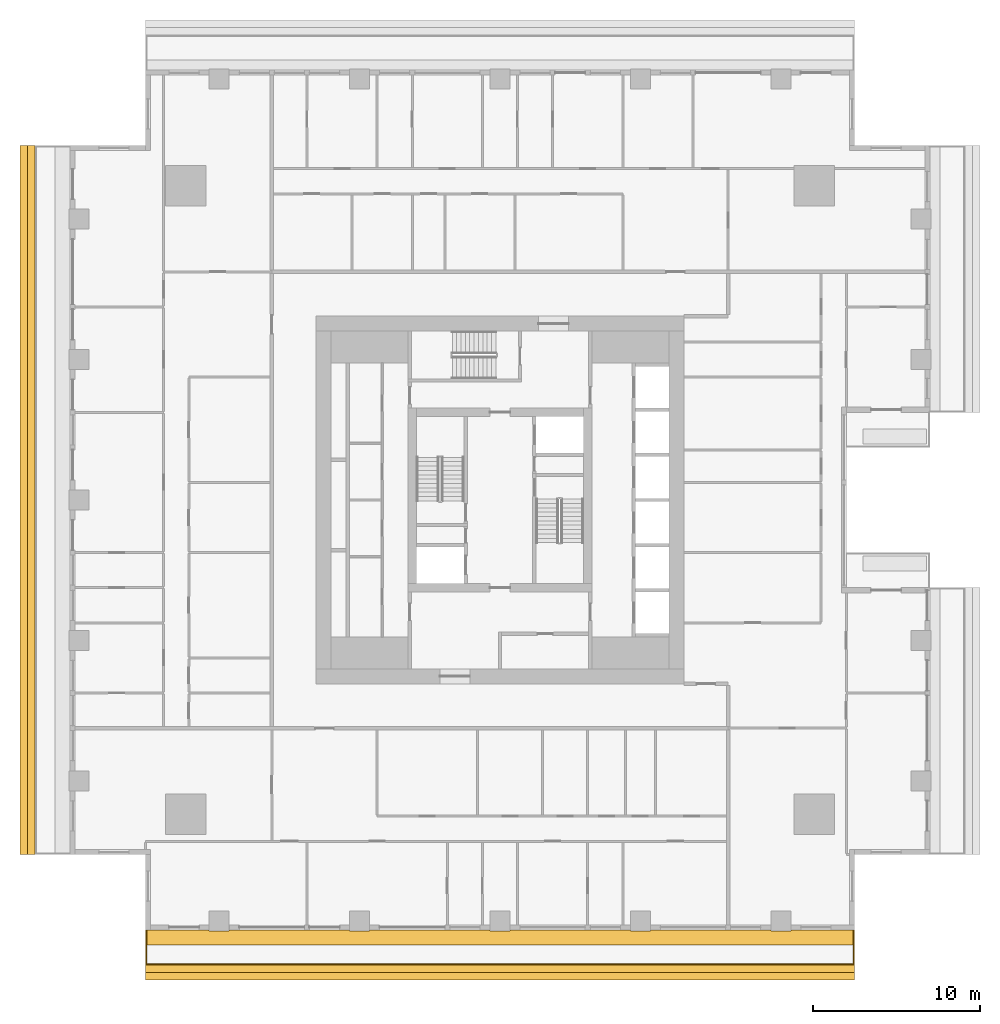
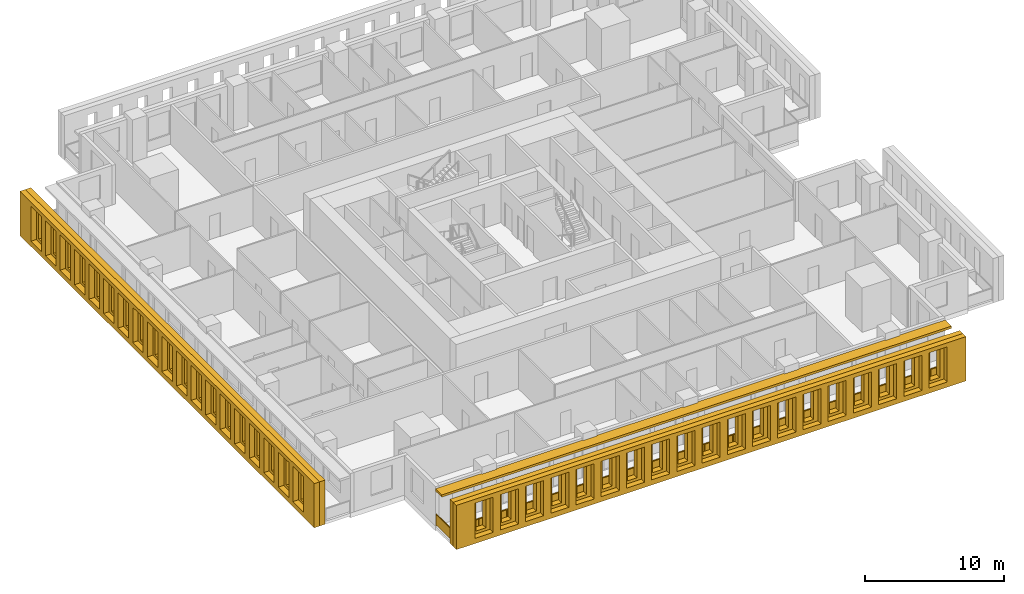
# One storey, part 10 of 15: 5 shading devices, 1 railing.
"""IFC4 building model written with IfcOpenShell, lengths in metres."""

from ifc_helpers import new_model, si_unit, direction, frame, origin, origin_2d, place, context, subcontext, project, spatial, polyline, rectangle, outline, extrude, material, layer, layer_set, type_object, element, save


model = new_model("IFC4")

# Units and contexts
model_context = context("Model", 3, precision=1e-05, world=origin(), true_north=direction((0.0, 1.0)))
body_context = subcontext(model_context, "Body", "Model", "MODEL_VIEW")
ifc_project = project(units=[si_unit("LENGTHUNIT", "METRE"), si_unit("AREAUNIT", "SQUARE_METRE"), si_unit("VOLUMEUNIT", "CUBIC_METRE"), si_unit("PLANEANGLEUNIT", "RADIAN"), si_unit("MASSUNIT", "GRAM", prefix="KILO")], contexts=[model_context])

# Site, building, storey
site_placement = place(None, origin())
site = spatial("IfcSite", under=ifc_project, at=site_placement, CompositionType="ELEMENT")
building_placement = place(site_placement, origin())
building = spatial("IfcBuilding", under=site, at=building_placement, Name="Khepri Terraces", CompositionType="ELEMENT")
storey_placement = place(building_placement, frame((0.0, 0.0, 196.199951171875)))
storey = spatial("IfcBuildingStorey", under=building, at=storey_placement, Name="L46", CompositionType="ELEMENT", Elevation=196.199951171875)

# Railing
ifc_material_1 = material(Name="Stainless steel grade 316", Category="steel")
railing_type = type_object("IfcRailingType", Name="GRD-BAL-1100", PredefinedType="GUARDRAIL", material=ifc_material_1)
railing_placement = place(storey_placement, frame((-21.169921875, -25.719970703125, 0.0)))
element("IfcRailing", 1, at=railing_placement, inside=storey, type_object=railing_type, Name="Balcony guard L46 S", PredefinedType="GUARDRAIL", context=body_context, shape_type="SweptSolid", body=[
    extrude(rectangle(XDim=0.050048828125, YDim=0.06005859375, at=origin_2d()), frame((0.0, 0.0, 1.070068359375), z_axis=(0.0, -1.0, 0.0), x_axis=(1.0, 0.0, 0.0)), (0.0, 0.0, 1.0), 2.050048828125),
    extrude(rectangle(XDim=2.0, YDim=0.011962890625, at=origin_2d()), frame((0.0, -1.02490234375, 0.10009765625), z_axis=(0.0, 0.0, 1.0), x_axis=(0.0, -1.0, 0.0)), (0.0, 0.0, 1.0), 0.93994140625),
    extrude(rectangle(XDim=0.050048828125, YDim=0.06005859375, at=origin_2d()), frame((0.0, -2.050048828125, 1.070068359375), z_axis=(1.0, 0.0, 0.0), x_axis=(0.0, 1.0, 0.0)), (0.0, 0.0, 1.0), 42.33984375),
    extrude(rectangle(XDim=2.30224609375, YDim=0.011962890625, at=origin_2d()), frame((1.176025390625, -2.050048828125, 0.10009765625), z_axis=(0.0, 0.0, 1.0), x_axis=(1.0, 0.0, 0.0)), (0.0, 0.0, 1.0), 0.93994140625),
    extrude(rectangle(XDim=2.30224609375, YDim=0.011962890625, at=origin_2d()), frame((3.5283203125, -2.050048828125, 0.10009765625), z_axis=(0.0, 0.0, 1.0), x_axis=(1.0, 0.0, 0.0)), (0.0, 0.0, 1.0), 0.93994140625),
    extrude(rectangle(XDim=2.30224609375, YDim=0.011962890625, at=origin_2d()), frame((5.880615234375, -2.050048828125, 0.10009765625), z_axis=(0.0, 0.0, 1.0), x_axis=(1.0, 0.0, 0.0)), (0.0, 0.0, 1.0), 0.93994140625),
    extrude(rectangle(XDim=2.30224609375, YDim=0.011962890625, at=origin_2d()), frame((8.232666015625, -2.050048828125, 0.10009765625), z_axis=(0.0, 0.0, 1.0), x_axis=(1.0, 0.0, 0.0)), (0.0, 0.0, 1.0), 0.93994140625),
    extrude(rectangle(XDim=2.30224609375, YDim=0.011962890625, at=origin_2d()), frame((10.5849609375, -2.050048828125, 0.10009765625), z_axis=(0.0, 0.0, 1.0), x_axis=(1.0, 0.0, 0.0)), (0.0, 0.0, 1.0), 0.93994140625),
    extrude(rectangle(XDim=2.30224609375, YDim=0.011962890625, at=origin_2d()), frame((12.937255859375, -2.050048828125, 0.10009765625), z_axis=(0.0, 0.0, 1.0), x_axis=(1.0, 0.0, 0.0)), (0.0, 0.0, 1.0), 0.93994140625),
    extrude(rectangle(XDim=2.30224609375, YDim=0.011962890625, at=origin_2d()), frame((15.289306640625, -2.050048828125, 0.10009765625), z_axis=(0.0, 0.0, 1.0), x_axis=(1.0, 0.0, 0.0)), (0.0, 0.0, 1.0), 0.93994140625),
    extrude(rectangle(XDim=2.30224609375, YDim=0.011962890625, at=origin_2d()), frame((17.6416015625, -2.050048828125, 0.10009765625), z_axis=(0.0, 0.0, 1.0), x_axis=(1.0, 0.0, 0.0)), (0.0, 0.0, 1.0), 0.93994140625),
    extrude(rectangle(XDim=2.30224609375, YDim=0.011962890625, at=origin_2d()), frame((19.993896484375, -2.050048828125, 0.10009765625), z_axis=(0.0, 0.0, 1.0), x_axis=(1.0, 0.0, 0.0)), (0.0, 0.0, 1.0), 0.93994140625),
    extrude(rectangle(XDim=2.30224609375, YDim=0.011962890625, at=origin_2d()), frame((22.345947265625, -2.050048828125, 0.10009765625), z_axis=(0.0, 0.0, 1.0), x_axis=(1.0, 0.0, 0.0)), (0.0, 0.0, 1.0), 0.93994140625),
    extrude(rectangle(XDim=2.30224609375, YDim=0.011962890625, at=origin_2d()), frame((24.6982421875, -2.050048828125, 0.10009765625), z_axis=(0.0, 0.0, 1.0), x_axis=(1.0, 0.0, 0.0)), (0.0, 0.0, 1.0), 0.93994140625),
    extrude(rectangle(XDim=2.30224609375, YDim=0.011962890625, at=origin_2d()), frame((27.050537109375, -2.050048828125, 0.10009765625), z_axis=(0.0, 0.0, 1.0), x_axis=(1.0, 0.0, 0.0)), (0.0, 0.0, 1.0), 0.93994140625),
    extrude(rectangle(XDim=2.30224609375, YDim=0.011962890625, at=origin_2d()), frame((29.402587890625, -2.050048828125, 0.10009765625), z_axis=(0.0, 0.0, 1.0), x_axis=(1.0, 0.0, 0.0)), (0.0, 0.0, 1.0), 0.93994140625),
    extrude(rectangle(XDim=2.30224609375, YDim=0.011962890625, at=origin_2d()), frame((31.7548828125, -2.050048828125, 0.10009765625), z_axis=(0.0, 0.0, 1.0), x_axis=(1.0, 0.0, 0.0)), (0.0, 0.0, 1.0), 0.93994140625),
    extrude(rectangle(XDim=2.30224609375, YDim=0.011962890625, at=origin_2d()), frame((34.107177734375, -2.050048828125, 0.10009765625), z_axis=(0.0, 0.0, 1.0), x_axis=(1.0, 0.0, 0.0)), (0.0, 0.0, 1.0), 0.93994140625),
    extrude(rectangle(XDim=2.30224609375, YDim=0.011962890625, at=origin_2d()), frame((36.459228515625, -2.050048828125, 0.10009765625), z_axis=(0.0, 0.0, 1.0), x_axis=(1.0, 0.0, 0.0)), (0.0, 0.0, 1.0), 0.93994140625),
    extrude(rectangle(XDim=2.30224609375, YDim=0.011962890625, at=origin_2d()), frame((38.8115234375, -2.050048828125, 0.10009765625), z_axis=(0.0, 0.0, 1.0), x_axis=(1.0, 0.0, 0.0)), (0.0, 0.0, 1.0), 0.93994140625),
    extrude(rectangle(XDim=2.30224609375, YDim=0.011962890625, at=origin_2d()), frame((41.163818359375, -2.050048828125, 0.10009765625), z_axis=(0.0, 0.0, 1.0), x_axis=(1.0, 0.0, 0.0)), (0.0, 0.0, 1.0), 0.93994140625),
    extrude(rectangle(XDim=0.050048828125, YDim=0.06005859375, at=origin_2d()), frame((42.33984375, -2.050048828125, 1.070068359375), z_axis=(0.0, 1.0, 0.0), x_axis=(-1.0, 0.0, 0.0)), (0.0, 0.0, 1.0), 2.050048828125),
    extrude(rectangle(XDim=2.0, YDim=0.011962890625, at=origin_2d()), frame((42.33984375, -1.02490234375, 0.10009765625), z_axis=(0.0, 0.0, 1.0), x_axis=(0.0, 1.0, 0.0)), (0.0, 0.0, 1.0), 0.93994140625),
    extrude(rectangle(XDim=0.050048828125, YDim=0.050048828125, at=origin_2d()), origin(), (0.0, 0.0, 1.0), 1.0400390625),
    extrude(rectangle(XDim=0.050048828125, YDim=0.050048828125, at=origin_2d()), frame((0.0, -2.050048828125, 0.0)), (0.0, 0.0, 1.0), 1.0400390625),
    extrude(rectangle(XDim=0.050048828125, YDim=0.050048828125, at=origin_2d()), frame((2.352294921875, -2.050048828125, 0.0)), (0.0, 0.0, 1.0), 1.0400390625),
    extrude(rectangle(XDim=0.050048828125, YDim=0.050048828125, at=origin_2d()), frame((4.704345703125, -2.050048828125, 0.0)), (0.0, 0.0, 1.0), 1.0400390625),
    extrude(rectangle(XDim=0.050048828125, YDim=0.050048828125, at=origin_2d()), frame((7.056640625, -2.050048828125, 0.0)), (0.0, 0.0, 1.0), 1.0400390625),
    extrude(rectangle(XDim=0.050048828125, YDim=0.050048828125, at=origin_2d()), frame((9.408935546875, -2.050048828125, 0.0)), (0.0, 0.0, 1.0), 1.0400390625),
    extrude(rectangle(XDim=0.050048828125, YDim=0.050048828125, at=origin_2d()), frame((11.760986328125, -2.050048828125, 0.0)), (0.0, 0.0, 1.0), 1.0400390625),
    extrude(rectangle(XDim=0.050048828125, YDim=0.050048828125, at=origin_2d()), frame((14.11328125, -2.050048828125, 0.0)), (0.0, 0.0, 1.0), 1.0400390625),
    extrude(rectangle(XDim=0.050048828125, YDim=0.050048828125, at=origin_2d()), frame((16.465576171875, -2.050048828125, 0.0)), (0.0, 0.0, 1.0), 1.0400390625),
    extrude(rectangle(XDim=0.050048828125, YDim=0.050048828125, at=origin_2d()), frame((18.817626953125, -2.050048828125, 0.0)), (0.0, 0.0, 1.0), 1.0400390625),
    extrude(rectangle(XDim=0.050048828125, YDim=0.050048828125, at=origin_2d()), frame((21.169921875, -2.050048828125, 0.0)), (0.0, 0.0, 1.0), 1.0400390625),
    extrude(rectangle(XDim=0.050048828125, YDim=0.050048828125, at=origin_2d()), frame((23.522216796875, -2.050048828125, 0.0)), (0.0, 0.0, 1.0), 1.0400390625),
    extrude(rectangle(XDim=0.050048828125, YDim=0.050048828125, at=origin_2d()), frame((25.874267578125, -2.050048828125, 0.0)), (0.0, 0.0, 1.0), 1.0400390625),
    extrude(rectangle(XDim=0.050048828125, YDim=0.050048828125, at=origin_2d()), frame((28.2265625, -2.050048828125, 0.0)), (0.0, 0.0, 1.0), 1.0400390625),
    extrude(rectangle(XDim=0.050048828125, YDim=0.050048828125, at=origin_2d()), frame((30.578857421875, -2.050048828125, 0.0)), (0.0, 0.0, 1.0), 1.0400390625),
    extrude(rectangle(XDim=0.050048828125, YDim=0.050048828125, at=origin_2d()), frame((32.930908203125, -2.050048828125, 0.0)), (0.0, 0.0, 1.0), 1.0400390625),
    extrude(rectangle(XDim=0.050048828125, YDim=0.050048828125, at=origin_2d()), frame((35.283203125, -2.050048828125, 0.0)), (0.0, 0.0, 1.0), 1.0400390625),
    extrude(rectangle(XDim=0.050048828125, YDim=0.050048828125, at=origin_2d()), frame((37.635498046875, -2.050048828125, 0.0)), (0.0, 0.0, 1.0), 1.0400390625),
    extrude(rectangle(XDim=0.050048828125, YDim=0.050048828125, at=origin_2d()), frame((39.987548828125, -2.050048828125, 0.0)), (0.0, 0.0, 1.0), 1.0400390625),
    extrude(rectangle(XDim=0.050048828125, YDim=0.050048828125, at=origin_2d()), frame((42.33984375, -2.050048828125, 0.0)), (0.0, 0.0, 1.0), 1.0400390625),
    extrude(rectangle(XDim=0.050048828125, YDim=0.050048828125, at=origin_2d()), frame((42.33984375, 0.0, 0.0)), (0.0, 0.0, 1.0), 1.0400390625),
])

# Shading devices
ifc_material_2 = material(Name="Precast concrete C50/60 warm stone", Category="masonry")
shading_device_type_1 = type_object("IfcShadingDeviceType", Name="SCR-CELL-INNER-450", PredefinedType="USERDEFINED", material=ifc_material_2)
shading_device_1_placement = place(storey_placement, frame((-21.219970703125, -27.820068359375, -0.25), z_axis=(0.0, -1.0, 0.0), x_axis=(1.0, 0.0, 0.0)))
element("IfcShadingDevice", 2, at=shading_device_1_placement, inside=storey, type_object=shading_device_type_1, Name="Cell screen L46 S in", ObjectType="SCREEN", PredefinedType="USERDEFINED", context=body_context, shape_type="SweptSolid", body=[
    extrude(outline(polyline([(0.0, 0.0), (42.43994140625, 0.0), (42.43994140625, 3.89990234375), (0.0, 3.89990234375), (0.0, 0.0)]), holes=[polyline([(1.91845703125, 0.699951171875), (2.7216796875, 0.699951171875), (2.7216796875, 3.300048828125), (1.91845703125, 3.300048828125), (1.91845703125, 0.699951171875)]), polyline([(4.018310546875, 0.699951171875), (4.821533203125, 0.699951171875), (4.821533203125, 3.300048828125), (4.018310546875, 3.300048828125), (4.018310546875, 0.699951171875)]), polyline([(6.118408203125, 0.699951171875), (6.921630859375, 0.699951171875), (6.921630859375, 3.300048828125), (6.118408203125, 3.300048828125), (6.118408203125, 0.699951171875)]), polyline([(8.218505859375, 0.699951171875), (9.021484375, 0.699951171875), (9.021484375, 3.300048828125), (8.218505859375, 3.300048828125), (8.218505859375, 0.699951171875)]), polyline([(10.318359375, 0.699951171875), (11.12158203125, 0.699951171875), (11.12158203125, 3.300048828125), (10.318359375, 3.300048828125), (10.318359375, 0.699951171875)]), polyline([(12.41845703125, 0.699951171875), (13.2216796875, 0.699951171875), (13.2216796875, 3.300048828125), (12.41845703125, 3.300048828125), (12.41845703125, 0.699951171875)]), polyline([(14.518310546875, 0.699951171875), (15.321533203125, 0.699951171875), (15.321533203125, 3.300048828125), (14.518310546875, 3.300048828125), (14.518310546875, 0.699951171875)]), polyline([(16.618408203125, 0.699951171875), (17.421630859375, 0.699951171875), (17.421630859375, 3.300048828125), (16.618408203125, 3.300048828125), (16.618408203125, 0.699951171875)]), polyline([(18.718505859375, 0.699951171875), (19.521484375, 0.699951171875), (19.521484375, 3.300048828125), (18.718505859375, 3.300048828125), (18.718505859375, 0.699951171875)]), polyline([(20.818359375, 0.699951171875), (21.62158203125, 0.699951171875), (21.62158203125, 3.300048828125), (20.818359375, 3.300048828125), (20.818359375, 0.699951171875)]), polyline([(22.91845703125, 0.699951171875), (23.7216796875, 0.699951171875), (23.7216796875, 3.300048828125), (22.91845703125, 3.300048828125), (22.91845703125, 0.699951171875)]), polyline([(25.018310546875, 0.699951171875), (25.821533203125, 0.699951171875), (25.821533203125, 3.300048828125), (25.018310546875, 3.300048828125), (25.018310546875, 0.699951171875)]), polyline([(27.118408203125, 0.699951171875), (27.921630859375, 0.699951171875), (27.921630859375, 3.300048828125), (27.118408203125, 3.300048828125), (27.118408203125, 0.699951171875)]), polyline([(29.218505859375, 0.699951171875), (30.021484375, 0.699951171875), (30.021484375, 3.300048828125), (29.218505859375, 3.300048828125), (29.218505859375, 0.699951171875)]), polyline([(31.318359375, 0.699951171875), (32.12158203125, 0.699951171875), (32.12158203125, 3.300048828125), (31.318359375, 3.300048828125), (31.318359375, 0.699951171875)]), polyline([(33.41845703125, 0.699951171875), (34.2216796875, 0.699951171875), (34.2216796875, 3.300048828125), (33.41845703125, 3.300048828125), (33.41845703125, 0.699951171875)]), polyline([(35.518310546875, 0.699951171875), (36.321533203125, 0.699951171875), (36.321533203125, 3.300048828125), (35.518310546875, 3.300048828125), (35.518310546875, 0.699951171875)]), polyline([(37.618408203125, 0.699951171875), (38.421630859375, 0.699951171875), (38.421630859375, 3.300048828125), (37.618408203125, 3.300048828125), (37.618408203125, 0.699951171875)]), polyline([(39.718505859375, 0.699951171875), (40.521484375, 0.699951171875), (40.521484375, 3.300048828125), (39.718505859375, 3.300048828125), (39.718505859375, 0.699951171875)])]), origin(), (0.0, 0.0, 1.0), 0.449951171875),
])
shading_device_2_placement = place(storey_placement, frame((-27.820068359375, 21.219970703125, -0.25), z_axis=(-1.0, 0.0, 0.0), x_axis=(0.0, -1.0, 0.0)))
element("IfcShadingDevice", 3, at=shading_device_2_placement, inside=storey, type_object=shading_device_type_1, Name="Cell screen L46 W in", ObjectType="SCREEN", PredefinedType="USERDEFINED", context=body_context, shape_type="SweptSolid", body=[
    extrude(outline(polyline([(0.0, 0.0), (42.43994140625, 0.0), (42.43994140625, 3.89990234375), (0.0, 3.89990234375), (0.0, 0.0)]), holes=[polyline([(1.91845703125, 0.699951171875), (2.7216796875, 0.699951171875), (2.7216796875, 3.300048828125), (1.91845703125, 3.300048828125), (1.91845703125, 0.699951171875)]), polyline([(4.018310546875, 0.699951171875), (4.821533203125, 0.699951171875), (4.821533203125, 3.300048828125), (4.018310546875, 3.300048828125), (4.018310546875, 0.699951171875)]), polyline([(6.118408203125, 0.699951171875), (6.921630859375, 0.699951171875), (6.921630859375, 3.300048828125), (6.118408203125, 3.300048828125), (6.118408203125, 0.699951171875)]), polyline([(8.218505859375, 0.699951171875), (9.021484375, 0.699951171875), (9.021484375, 3.300048828125), (8.218505859375, 3.300048828125), (8.218505859375, 0.699951171875)]), polyline([(10.318359375, 0.699951171875), (11.12158203125, 0.699951171875), (11.12158203125, 3.300048828125), (10.318359375, 3.300048828125), (10.318359375, 0.699951171875)]), polyline([(12.41845703125, 0.699951171875), (13.2216796875, 0.699951171875), (13.2216796875, 3.300048828125), (12.41845703125, 3.300048828125), (12.41845703125, 0.699951171875)]), polyline([(14.518310546875, 0.699951171875), (15.321533203125, 0.699951171875), (15.321533203125, 3.300048828125), (14.518310546875, 3.300048828125), (14.518310546875, 0.699951171875)]), polyline([(16.618408203125, 0.699951171875), (17.421630859375, 0.699951171875), (17.421630859375, 3.300048828125), (16.618408203125, 3.300048828125), (16.618408203125, 0.699951171875)]), polyline([(18.718505859375, 0.699951171875), (19.521484375, 0.699951171875), (19.521484375, 3.300048828125), (18.718505859375, 3.300048828125), (18.718505859375, 0.699951171875)]), polyline([(20.818359375, 0.699951171875), (21.62158203125, 0.699951171875), (21.62158203125, 3.300048828125), (20.818359375, 3.300048828125), (20.818359375, 0.699951171875)]), polyline([(22.91845703125, 0.699951171875), (23.7216796875, 0.699951171875), (23.7216796875, 3.300048828125), (22.91845703125, 3.300048828125), (22.91845703125, 0.699951171875)]), polyline([(25.018310546875, 0.699951171875), (25.821533203125, 0.699951171875), (25.821533203125, 3.300048828125), (25.018310546875, 3.300048828125), (25.018310546875, 0.699951171875)]), polyline([(27.118408203125, 0.699951171875), (27.921630859375, 0.699951171875), (27.921630859375, 3.300048828125), (27.118408203125, 3.300048828125), (27.118408203125, 0.699951171875)]), polyline([(29.218505859375, 0.699951171875), (30.021484375, 0.699951171875), (30.021484375, 3.300048828125), (29.218505859375, 3.300048828125), (29.218505859375, 0.699951171875)]), polyline([(31.318359375, 0.699951171875), (32.12158203125, 0.699951171875), (32.12158203125, 3.300048828125), (31.318359375, 3.300048828125), (31.318359375, 0.699951171875)]), polyline([(33.41845703125, 0.699951171875), (34.2216796875, 0.699951171875), (34.2216796875, 3.300048828125), (33.41845703125, 3.300048828125), (33.41845703125, 0.699951171875)]), polyline([(35.518310546875, 0.699951171875), (36.321533203125, 0.699951171875), (36.321533203125, 3.300048828125), (35.518310546875, 3.300048828125), (35.518310546875, 0.699951171875)]), polyline([(37.618408203125, 0.699951171875), (38.421630859375, 0.699951171875), (38.421630859375, 3.300048828125), (37.618408203125, 3.300048828125), (37.618408203125, 0.699951171875)]), polyline([(39.718505859375, 0.699951171875), (40.521484375, 0.699951171875), (40.521484375, 3.300048828125), (39.718505859375, 3.300048828125), (39.718505859375, 0.699951171875)])]), origin(), (0.0, 0.0, 1.0), 0.449951171875),
])
shading_device_type_2 = type_object("IfcShadingDeviceType", Name="SCR-CELL-OUTER-450", PredefinedType="USERDEFINED", material=ifc_material_2)
shading_device_3_placement = place(storey_placement, frame((-21.219970703125, -28.27001953125, -0.25), z_axis=(0.0, -1.0, 0.0), x_axis=(1.0, 0.0, 0.0)))
element("IfcShadingDevice", 4, at=shading_device_3_placement, inside=storey, type_object=shading_device_type_2, Name="Cell screen L46 S out", ObjectType="SCREEN", PredefinedType="USERDEFINED", context=body_context, shape_type="SweptSolid", body=[
    extrude(outline(polyline([(0.0, 0.0), (42.43994140625, 0.0), (42.43994140625, 3.89990234375), (0.0, 3.89990234375), (0.0, 0.0)]), holes=[polyline([(1.568359375, 0.449951171875), (3.071533203125, 0.449951171875), (3.071533203125, 3.550048828125), (1.568359375, 3.550048828125), (1.568359375, 0.449951171875)]), polyline([(3.66845703125, 0.449951171875), (5.171630859375, 0.449951171875), (5.171630859375, 3.550048828125), (3.66845703125, 3.550048828125), (3.66845703125, 0.449951171875)]), polyline([(5.768310546875, 0.449951171875), (7.271484375, 0.449951171875), (7.271484375, 3.550048828125), (5.768310546875, 3.550048828125), (5.768310546875, 0.449951171875)]), polyline([(7.868408203125, 0.449951171875), (9.37158203125, 0.449951171875), (9.37158203125, 3.550048828125), (7.868408203125, 3.550048828125), (7.868408203125, 0.449951171875)]), polyline([(9.968505859375, 0.449951171875), (11.4716796875, 0.449951171875), (11.4716796875, 3.550048828125), (9.968505859375, 3.550048828125), (9.968505859375, 0.449951171875)]), polyline([(12.068359375, 0.449951171875), (13.571533203125, 0.449951171875), (13.571533203125, 3.550048828125), (12.068359375, 3.550048828125), (12.068359375, 0.449951171875)]), polyline([(14.16845703125, 0.449951171875), (15.671630859375, 0.449951171875), (15.671630859375, 3.550048828125), (14.16845703125, 3.550048828125), (14.16845703125, 0.449951171875)]), polyline([(16.268310546875, 0.449951171875), (17.771484375, 0.449951171875), (17.771484375, 3.550048828125), (16.268310546875, 3.550048828125), (16.268310546875, 0.449951171875)]), polyline([(18.368408203125, 0.449951171875), (19.87158203125, 0.449951171875), (19.87158203125, 3.550048828125), (18.368408203125, 3.550048828125), (18.368408203125, 0.449951171875)]), polyline([(20.468505859375, 0.449951171875), (21.9716796875, 0.449951171875), (21.9716796875, 3.550048828125), (20.468505859375, 3.550048828125), (20.468505859375, 0.449951171875)]), polyline([(22.568359375, 0.449951171875), (24.071533203125, 0.449951171875), (24.071533203125, 3.550048828125), (22.568359375, 3.550048828125), (22.568359375, 0.449951171875)]), polyline([(24.66845703125, 0.449951171875), (26.171630859375, 0.449951171875), (26.171630859375, 3.550048828125), (24.66845703125, 3.550048828125), (24.66845703125, 0.449951171875)]), polyline([(26.768310546875, 0.449951171875), (28.271484375, 0.449951171875), (28.271484375, 3.550048828125), (26.768310546875, 3.550048828125), (26.768310546875, 0.449951171875)]), polyline([(28.868408203125, 0.449951171875), (30.37158203125, 0.449951171875), (30.37158203125, 3.550048828125), (28.868408203125, 3.550048828125), (28.868408203125, 0.449951171875)]), polyline([(30.968505859375, 0.449951171875), (32.4716796875, 0.449951171875), (32.4716796875, 3.550048828125), (30.968505859375, 3.550048828125), (30.968505859375, 0.449951171875)]), polyline([(33.068359375, 0.449951171875), (34.571533203125, 0.449951171875), (34.571533203125, 3.550048828125), (33.068359375, 3.550048828125), (33.068359375, 0.449951171875)]), polyline([(35.16845703125, 0.449951171875), (36.671630859375, 0.449951171875), (36.671630859375, 3.550048828125), (35.16845703125, 3.550048828125), (35.16845703125, 0.449951171875)]), polyline([(37.268310546875, 0.449951171875), (38.771484375, 0.449951171875), (38.771484375, 3.550048828125), (37.268310546875, 3.550048828125), (37.268310546875, 0.449951171875)]), polyline([(39.368408203125, 0.449951171875), (40.87158203125, 0.449951171875), (40.87158203125, 3.550048828125), (39.368408203125, 3.550048828125), (39.368408203125, 0.449951171875)])]), origin(), (0.0, 0.0, 1.0), 0.449951171875),
])
shading_device_4_placement = place(storey_placement, frame((-28.27001953125, 21.219970703125, -0.25), z_axis=(-1.0, 0.0, 0.0), x_axis=(0.0, -1.0, 0.0)))
element("IfcShadingDevice", 5, at=shading_device_4_placement, inside=storey, type_object=shading_device_type_2, Name="Cell screen L46 W out", ObjectType="SCREEN", PredefinedType="USERDEFINED", context=body_context, shape_type="SweptSolid", body=[
    extrude(outline(polyline([(0.0, 0.0), (42.43994140625, 0.0), (42.43994140625, 3.89990234375), (0.0, 3.89990234375), (0.0, 0.0)]), holes=[polyline([(1.568359375, 0.449951171875), (3.071533203125, 0.449951171875), (3.071533203125, 3.550048828125), (1.568359375, 3.550048828125), (1.568359375, 0.449951171875)]), polyline([(3.66845703125, 0.449951171875), (5.171630859375, 0.449951171875), (5.171630859375, 3.550048828125), (3.66845703125, 3.550048828125), (3.66845703125, 0.449951171875)]), polyline([(5.768310546875, 0.449951171875), (7.271484375, 0.449951171875), (7.271484375, 3.550048828125), (5.768310546875, 3.550048828125), (5.768310546875, 0.449951171875)]), polyline([(7.868408203125, 0.449951171875), (9.37158203125, 0.449951171875), (9.37158203125, 3.550048828125), (7.868408203125, 3.550048828125), (7.868408203125, 0.449951171875)]), polyline([(9.968505859375, 0.449951171875), (11.4716796875, 0.449951171875), (11.4716796875, 3.550048828125), (9.968505859375, 3.550048828125), (9.968505859375, 0.449951171875)]), polyline([(12.068359375, 0.449951171875), (13.571533203125, 0.449951171875), (13.571533203125, 3.550048828125), (12.068359375, 3.550048828125), (12.068359375, 0.449951171875)]), polyline([(14.16845703125, 0.449951171875), (15.671630859375, 0.449951171875), (15.671630859375, 3.550048828125), (14.16845703125, 3.550048828125), (14.16845703125, 0.449951171875)]), polyline([(16.268310546875, 0.449951171875), (17.771484375, 0.449951171875), (17.771484375, 3.550048828125), (16.268310546875, 3.550048828125), (16.268310546875, 0.449951171875)]), polyline([(18.368408203125, 0.449951171875), (19.87158203125, 0.449951171875), (19.87158203125, 3.550048828125), (18.368408203125, 3.550048828125), (18.368408203125, 0.449951171875)]), polyline([(20.468505859375, 0.449951171875), (21.9716796875, 0.449951171875), (21.9716796875, 3.550048828125), (20.468505859375, 3.550048828125), (20.468505859375, 0.449951171875)]), polyline([(22.568359375, 0.449951171875), (24.071533203125, 0.449951171875), (24.071533203125, 3.550048828125), (22.568359375, 3.550048828125), (22.568359375, 0.449951171875)]), polyline([(24.66845703125, 0.449951171875), (26.171630859375, 0.449951171875), (26.171630859375, 3.550048828125), (24.66845703125, 3.550048828125), (24.66845703125, 0.449951171875)]), polyline([(26.768310546875, 0.449951171875), (28.271484375, 0.449951171875), (28.271484375, 3.550048828125), (26.768310546875, 3.550048828125), (26.768310546875, 0.449951171875)]), polyline([(28.868408203125, 0.449951171875), (30.37158203125, 0.449951171875), (30.37158203125, 3.550048828125), (28.868408203125, 3.550048828125), (28.868408203125, 0.449951171875)]), polyline([(30.968505859375, 0.449951171875), (32.4716796875, 0.449951171875), (32.4716796875, 3.550048828125), (30.968505859375, 3.550048828125), (30.968505859375, 0.449951171875)]), polyline([(33.068359375, 0.449951171875), (34.571533203125, 0.449951171875), (34.571533203125, 3.550048828125), (33.068359375, 3.550048828125), (33.068359375, 0.449951171875)]), polyline([(35.16845703125, 0.449951171875), (36.671630859375, 0.449951171875), (36.671630859375, 3.550048828125), (35.16845703125, 3.550048828125), (35.16845703125, 0.449951171875)]), polyline([(37.268310546875, 0.449951171875), (38.771484375, 0.449951171875), (38.771484375, 3.550048828125), (37.268310546875, 3.550048828125), (37.268310546875, 0.449951171875)]), polyline([(39.368408203125, 0.449951171875), (40.87158203125, 0.449951171875), (40.87158203125, 3.550048828125), (39.368408203125, 3.550048828125), (39.368408203125, 0.449951171875)])]), origin(), (0.0, 0.0, 1.0), 0.449951171875),
])
ifc_layer = layer(ifc_material_2, 0.199951171875, Name="Precast concrete C50/60 warm stone", Category="masonry")
ifc_layer_set = layer_set([ifc_layer], Name="Precast concrete C50/60 warm stone")
shading_device_type_3 = type_object("IfcShadingDeviceType", Name="SSH-BAND-STONE-200", PredefinedType="USERDEFINED", material=ifc_layer_set)
shading_device_5_placement = place(storey_placement, frame((0.0, 0.0, 3.10009765625)))
element("IfcShadingDevice", 6, at=shading_device_5_placement, inside=storey, type_object=shading_device_type_3, Name="Sunshade band L46 S", ObjectType="SUNSHADE", PredefinedType="USERDEFINED", context=body_context, shape_type="SweptSolid", body=[
    extrude(outline(polyline([(-17.39990234375, -25.719970703125), (-21.219970703125, -25.719970703125), (-21.219970703125, -26.6201171875), (21.219970703125, -26.6201171875), (21.219970703125, -25.719970703125), (17.39990234375, -25.719970703125), (17.39990234375, -25.800048828125), (16.199951171875, -25.800048828125), (16.199951171875, -25.719970703125), (9.0, -25.719970703125), (9.0, -25.800048828125), (7.800048828125, -25.800048828125), (7.800048828125, -25.719970703125), (0.60009765625, -25.719970703125), (0.60009765625, -25.800048828125), (-0.60009765625, -25.800048828125), (-0.60009765625, -25.719970703125), (-7.800048828125, -25.719970703125), (-7.800048828125, -25.800048828125), (-9.0, -25.800048828125), (-9.0, -25.719970703125), (-16.199951171875, -25.719970703125), (-16.199951171875, -25.800048828125), (-17.39990234375, -25.800048828125), (-17.39990234375, -25.719970703125)])), origin(), (0.0, 0.0, 1.0), 0.199951171875),
])

save(model, "model.ifc")
